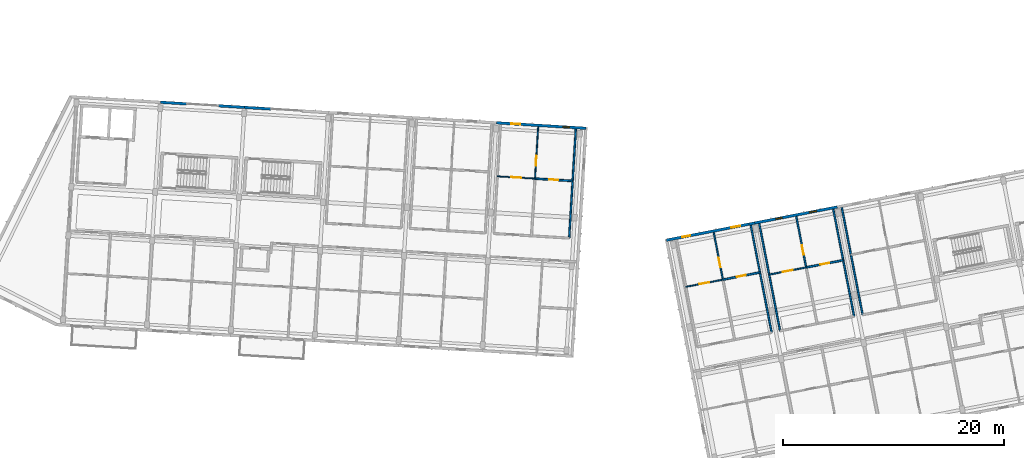
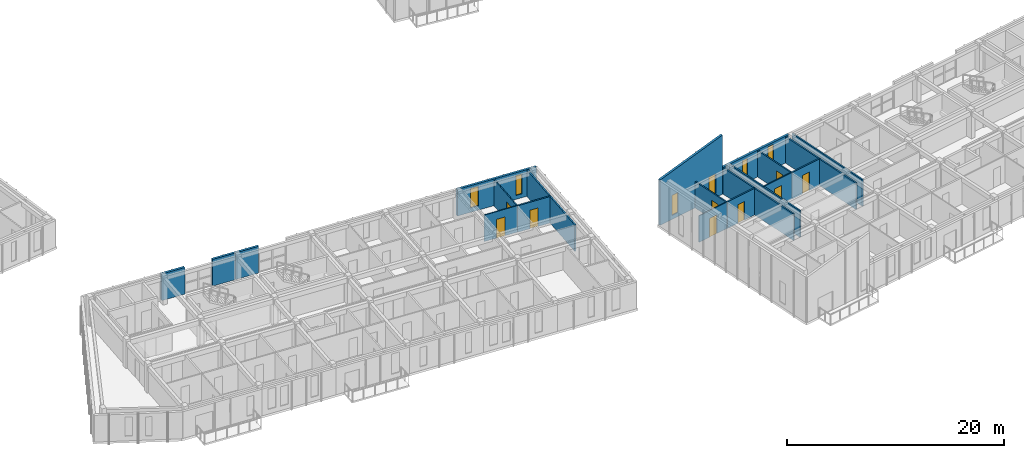
# One storey, part 28 of 65: 21 walls, 9 doors, 6 windows, 15 openings.
"""IFC4 building model written with IfcOpenShell, lengths in metres."""

from ifc_helpers import new_model, si_unit, direction, frame, frame_2d, origin, place, context, subcontext, project, spatial, polyline, rectangle, outline, extrude, material, layer, layer_set, type_object, element, fill, save


model = new_model("IFC4")

# Units and contexts
model_context = context("Model", 3, precision=1e-05, world=origin(), true_north=direction((0.0, 1.0)))
body_context = subcontext(model_context, "Body", "Model", "MODEL_VIEW")
ifc_project = project(units=[si_unit("LENGTHUNIT", "METRE"), si_unit("AREAUNIT", "SQUARE_METRE"), si_unit("VOLUMEUNIT", "CUBIC_METRE"), si_unit("PLANEANGLEUNIT", "RADIAN"), si_unit("MASSUNIT", "GRAM", prefix="KILO")], contexts=[model_context])

# Site, building, storey
site_placement = place(None, origin())
site = spatial("IfcSite", under=ifc_project, at=site_placement, CompositionType="ELEMENT")
building_placement = place(site_placement, origin())
building = spatial("IfcBuilding", under=site, at=building_placement, Name="Kestramere Prow Commons", CompositionType="ELEMENT")
storey_placement = place(building_placement, frame((0.0, 0.0, 21.39990234375)))
storey = spatial("IfcBuildingStorey", under=building, at=storey_placement, Name="L06", CompositionType="ELEMENT", Elevation=21.39990234375)

# Walls
ifc_material_1 = material(Name="Fluoropolymer Standing-Seam Zinc-Aluminium Cladding", Category="aluminium")
ifc_layer_1 = layer(ifc_material_1, 0.239990234375)
ifc_layer_set_1 = layer_set([ifc_layer_1], Name="Fluoropolymer Standing-Seam Zinc-Aluminium Cladding")
wall_type_1 = type_object("IfcWallType", Name="EW-SEAM-240", PredefinedType="SOLIDWALL", material=ifc_layer_set_1)
wall_1_placement = place(storey_placement, frame((68.314453125, 66.12353515625, 0.0), z_axis=(0.0, 0.0, 1.0), x_axis=(0.998134103342, -0.061059902923, 0.0)))
element("IfcWall", 1, at=wall_1_placement, inside=storey, type_object=wall_type_1, Name="Block C L06 North Standing-Seam Pier 2L", PredefinedType="SOLIDWALL", context=body_context, shape_type="SweptSolid", body=[
    extrude(rectangle(XDim=2.375, YDim=0.239990234375, at=frame_2d((1.1875, 0.0))), origin(), (0.0, 0.0, 1.0), 3.0),
])
wall_2_placement = place(storey_placement, frame((73.52978515625, 65.804443359375, 0.0), z_axis=(0.0, 0.0, 1.0), x_axis=(0.998133720034, -0.061066168473, 0.0)))
element("IfcWall", 2, at=wall_2_placement, inside=storey, type_object=wall_type_1, Name="Block C L06 North Standing-Seam Pier 2R", PredefinedType="SOLIDWALL", context=body_context, shape_type="SweptSolid", body=[
    extrude(rectangle(XDim=2.374755859375, YDim=0.239990234375, at=frame_2d((1.1875, 0.0))), origin(), (0.0, 0.0, 1.0), 3.0),
])
wall_3_placement = place(storey_placement, frame((75.900146484375, 65.659423828125, 0.0), z_axis=(0.0, 0.0, 1.0), x_axis=(0.998140363035, -0.06095749076, 0.0)))
element("IfcWall", 3, at=wall_3_placement, inside=storey, type_object=wall_type_1, Name="Block C L06 North Standing-Seam Pier 3L", PredefinedType="SOLIDWALL", context=body_context, shape_type="SweptSolid", body=[
    extrude(rectangle(XDim=2.375, YDim=0.239990234375, at=frame_2d((1.1875, 0.0))), origin(), (0.0, 0.0, 1.0), 3.0),
])

# Wall, openings, windows
wall_4_placement = place(storey_placement, frame((98.65771484375, 64.267578125, 0.0), z_axis=(0.0, 0.0, 1.0), x_axis=(0.998134248939, -0.061057522844, 0.0)))
wall_4 = element("IfcWall", 4, at=wall_4_placement, inside=storey, type_object=wall_type_1, Name="Block C L06 North Standing-Seam Wall 6", PredefinedType="SOLIDWALL", context=body_context, shape_type="SweptSolid", body=[
    extrude(rectangle(XDim=8.125, YDim=0.239990234375, at=frame_2d((4.0625, 0.0))), origin(), (0.0, 0.0, 1.0), 3.0),
])
opening_1_placement = place(wall_4_placement, frame((1.333984375, 0.0, 0.5)))
opening_1 = element("IfcOpeningElement", 5, at=opening_1_placement, cuts=wall_4, Name="Opening WN-13", PredefinedType="OPENING", context=body_context, shape_type="SweptSolid", body=[
    extrude(rectangle(XDim=0.820068359375, YDim=2.179931640625, at=frame_2d((0.41015625, 1.08984375))), frame((0.0, 0.135009765625, 0.0), z_axis=(0.0, -1.0, 0.0), x_axis=(1.0, 0.0, 0.0)), (0.0, 0.0, 1.0), 0.27001953125),
])
opening_2_placement = place(wall_4_placement, frame((6.028564453125, 0.0, 0.43994140625)))
opening_2 = element("IfcOpeningElement", 6, at=opening_2_placement, cuts=wall_4, Name="Opening WN-02", PredefinedType="OPENING", context=body_context, shape_type="SweptSolid", body=[
    extrude(rectangle(XDim=0.60009765625, YDim=2.219970703125, at=frame_2d((0.300048828125, 1.10986328125))), frame((0.0, 0.135009765625, 0.0), z_axis=(0.0, -1.0, 0.0), x_axis=(1.0, 0.0, 0.0)), (0.0, 0.0, 1.0), 0.27001953125),
])
ifc_material_2 = material(Name="Low-E Laminated Double Glazing", Category="glass")
window_type_1 = type_object("IfcWindowType", Name="WN-NAR-600A", PartitioningType="SINGLE_PANEL", PredefinedType="WINDOW", material=ifc_material_2)
window_1_placement = place(opening_2_placement, origin())
window_1 = element("IfcWindow", 7, at=window_1_placement, inside=storey, type_object=window_type_1, Name="WN-C-L06-N-5-1", OverallHeight=2.219970703125, OverallWidth=0.60009765625, PartitioningType="SINGLE_PANEL", PredefinedType="WINDOW", context=body_context, shape_type="SweptSolid", body=[
    extrude(rectangle(XDim=0.60009765625, YDim=2.219970703125, at=frame_2d((0.300048828125, 1.10986328125))), frame((0.0, 0.030029296875, 0.0), z_axis=(0.0, -1.0, 0.0), x_axis=(1.0, 0.0, 0.0)), (0.0, 0.0, 1.0), 0.06005859375),
])
fill(opening_2, window_1)
window_type_2 = type_object("IfcWindowType", Name="WN-NAR-820A", PartitioningType="DOUBLE_PANEL_VERTICAL", PredefinedType="WINDOW", material=ifc_material_2)
window_2_placement = place(opening_1_placement, origin())
window_2 = element("IfcWindow", 8, at=window_2_placement, inside=storey, type_object=window_type_2, Name="WN-C-L06-N-5-0", OverallHeight=2.179931640625, OverallWidth=0.820068359375, PartitioningType="SINGLE_PANEL", PredefinedType="WINDOW", context=body_context, shape_type="SweptSolid", body=[
    extrude(rectangle(XDim=0.820068359375, YDim=2.179931640625, at=frame_2d((0.41015625, 1.08984375))), frame((0.0, 0.030029296875, 0.0), z_axis=(0.0, -1.0, 0.0), x_axis=(1.0, 0.0, 0.0)), (0.0, 0.0, 1.0), 0.06005859375),
])
fill(opening_1, window_2)

# Wall
wall_5_placement = place(storey_placement, frame((121.5048828125, 55.105224609375, 0.0), z_axis=(0.0, 0.0, 1.0), x_axis=(0.981656509867, 0.190658062077, 0.0)))
element("IfcWall", 9, at=wall_5_placement, inside=storey, type_object=wall_type_1, Name="Block D L06 North Step-Back Spandrel Wall 1", PredefinedType="SOLIDWALL", context=body_context, shape_type="SweptSolid", body=[
    extrude(rectangle(XDim=0.52490234375, YDim=0.239990234375, at=frame_2d((0.262451171875, 0.0))), origin(), (0.0, 0.0, 1.0), 3.0),
])

# Wall, openings, windows
wall_6_placement = place(storey_placement, frame((114.044677734375, 53.655029296875, 0.0), z_axis=(0.0, 0.0, 1.0), x_axis=(0.981625252578, 0.19081892857, 0.0)))
wall_6 = element("IfcWall", 10, at=wall_6_placement, inside=storey, type_object=wall_type_1, Name="Block D L06 North Standing-Seam Wall 1", PredefinedType="SOLIDWALL", context=body_context, shape_type="SweptSolid", body=[
    extrude(outline(polyline([(0.0, 0.0), (7.599853515625, 0.0), (7.60009765625, 6.6591796875), (0.0, 5.086181640625), (0.0, 0.0)])), frame((0.0, 0.1201171875, 0.0), z_axis=(0.0, -1.0, 0.0), x_axis=(1.0, 0.0, 0.0)), (0.0, 0.0, 1.0), 0.239990234375),
])
opening_3_placement = place(wall_6_placement, frame((1.4345703125, 0.0, 0.43994140625)))
opening_3 = element("IfcOpeningElement", 11, at=opening_3_placement, cuts=wall_6, Name="Opening WN-09", PredefinedType="OPENING", context=body_context, shape_type="SweptSolid", body=[
    extrude(rectangle(XDim=0.739990234375, YDim=2.260009765625, at=frame_2d((0.3701171875, 1.1298828125))), frame((0.0, 0.135009765625, 0.0), z_axis=(0.0, -1.0, 0.0), x_axis=(1.0, 0.0, 0.0)), (0.0, 0.0, 1.0), 0.27001953125),
])
opening_4_placement = place(wall_6_placement, frame((5.970947265625, 0.0, 0.5)))
opening_4 = element("IfcOpeningElement", 12, at=opening_4_placement, cuts=wall_6, Name="Opening WN-13", PredefinedType="OPENING", context=body_context, shape_type="SweptSolid", body=[
    extrude(rectangle(XDim=0.820068359375, YDim=2.179931640625, at=frame_2d((0.41015625, 1.08984375))), frame((0.0, 0.135009765625, 0.0), z_axis=(0.0, -1.0, 0.0), x_axis=(1.0, 0.0, 0.0)), (0.0, 0.0, 1.0), 0.27001953125),
])
window_type_3 = type_object("IfcWindowType", Name="WN-NAR-740A", PartitioningType="SINGLE_PANEL", PredefinedType="WINDOW", material=ifc_material_2)
window_3_placement = place(opening_3_placement, origin())
window_3 = element("IfcWindow", 13, at=window_3_placement, inside=storey, type_object=window_type_3, Name="WN-D-L06-N-0-0", OverallHeight=2.260009765625, OverallWidth=0.739990234375, PartitioningType="SINGLE_PANEL", PredefinedType="WINDOW", context=body_context, shape_type="SweptSolid", body=[
    extrude(rectangle(XDim=0.739990234375, YDim=2.260009765625, at=frame_2d((0.3701171875, 1.1298828125))), frame((0.0, 0.030029296875, 0.0), z_axis=(0.0, -1.0, 0.0), x_axis=(1.0, 0.0, 0.0)), (0.0, 0.0, 1.0), 0.06005859375),
])
fill(opening_3, window_3)
window_4_placement = place(opening_4_placement, origin())
window_4 = element("IfcWindow", 14, at=window_4_placement, inside=storey, type_object=window_type_2, Name="WN-D-L06-N-0-1", OverallHeight=2.179931640625, OverallWidth=0.820068359375, PartitioningType="SINGLE_PANEL", PredefinedType="WINDOW", context=body_context, shape_type="SweptSolid", body=[
    extrude(rectangle(XDim=0.820068359375, YDim=2.179931640625, at=frame_2d((0.41015625, 1.08984375))), frame((0.0, 0.030029296875, 0.0), z_axis=(0.0, -1.0, 0.0), x_axis=(1.0, 0.0, 0.0)), (0.0, 0.0, 1.0), 0.06005859375),
])
fill(opening_4, window_4)

wall_7_placement = place(storey_placement, frame((122.020263671875, 55.205322265625, 0.0), z_axis=(0.0, 0.0, 1.0), x_axis=(0.981626422232, 0.190812911449, 0.0)))
wall_7 = element("IfcWall", 15, at=wall_7_placement, inside=storey, type_object=wall_type_1, Name="Block D L06 North Standing-Seam Wall 2", PredefinedType="SOLIDWALL", context=body_context, shape_type="SweptSolid", body=[
    extrude(rectangle(XDim=7.60009765625, YDim=0.239990234375, at=frame_2d((3.800048828125, 0.0))), origin(), (0.0, 0.0, 1.0), 3.0),
])
opening_5_placement = place(wall_7_placement, frame((1.93212890625, 0.0, 0.5)))
opening_5 = element("IfcOpeningElement", 16, at=opening_5_placement, cuts=wall_7, Name="Opening WN-01", PredefinedType="OPENING", context=body_context, shape_type="SweptSolid", body=[
    extrude(rectangle(XDim=0.580078125, YDim=2.159912109375, at=frame_2d((0.2900390625, 1.080078125))), frame((0.0, 0.135009765625, 0.0), z_axis=(0.0, -1.0, 0.0), x_axis=(1.0, 0.0, 0.0)), (0.0, 0.0, 1.0), 0.27001953125),
])
opening_6_placement = place(wall_7_placement, frame((5.03759765625, 0.0, 0.43994140625)))
opening_6 = element("IfcOpeningElement", 17, at=opening_6_placement, cuts=wall_7, Name="Opening WN-05", PredefinedType="OPENING", context=body_context, shape_type="SweptSolid", body=[
    extrude(rectangle(XDim=0.659912109375, YDim=2.320068359375, at=frame_2d((0.330078125, 1.16015625))), frame((0.0, 0.135009765625, 0.0), z_axis=(0.0, -1.0, 0.0), x_axis=(1.0, 0.0, 0.0)), (0.0, 0.0, 1.0), 0.27001953125),
])
window_type_4 = type_object("IfcWindowType", Name="WN-NAR-580A", PartitioningType="SINGLE_PANEL", PredefinedType="WINDOW", material=ifc_material_2)
window_5_placement = place(opening_5_placement, origin())
window_5 = element("IfcWindow", 18, at=window_5_placement, inside=storey, type_object=window_type_4, Name="WN-D-L06-N-1-0", OverallHeight=2.159912109375, OverallWidth=0.580078125, PartitioningType="SINGLE_PANEL", PredefinedType="WINDOW", context=body_context, shape_type="SweptSolid", body=[
    extrude(rectangle(XDim=0.580078125, YDim=2.159912109375, at=frame_2d((0.2900390625, 1.080078125))), frame((0.0, 0.030029296875, 0.0), z_axis=(0.0, -1.0, 0.0), x_axis=(1.0, 0.0, 0.0)), (0.0, 0.0, 1.0), 0.06005859375),
])
fill(opening_5, window_5)
window_type_5 = type_object("IfcWindowType", Name="WN-NAR-660A", PartitioningType="SINGLE_PANEL", PredefinedType="WINDOW", material=ifc_material_2)
window_6_placement = place(opening_6_placement, origin())
window_6 = element("IfcWindow", 19, at=window_6_placement, inside=storey, type_object=window_type_5, Name="WN-D-L06-N-1-1", OverallHeight=2.320068359375, OverallWidth=0.659912109375, PartitioningType="SINGLE_PANEL", PredefinedType="WINDOW", context=body_context, shape_type="SweptSolid", body=[
    extrude(rectangle(XDim=0.659912109375, YDim=2.320068359375, at=frame_2d((0.330078125, 1.16015625))), frame((0.0, 0.030029296875, 0.0), z_axis=(0.0, -1.0, 0.0), x_axis=(1.0, 0.0, 0.0)), (0.0, 0.0, 1.0), 0.06005859375),
])
fill(opening_6, window_6)

# Wall, opening, door
ifc_material_3 = material(Name="Gypsum Acoustic Drywall")
ifc_layer_2 = layer(ifc_material_3, 0.110107421875)
ifc_layer_set_2 = layer_set([ifc_layer_2], Name="Gypsum Acoustic Drywall")
wall_type_2 = type_object("IfcWallType", Name="W-PART-110", PredefinedType="PARTITIONING", material=ifc_layer_set_2)
wall_8_placement = place(storey_placement, frame((102.156005859375, 59.2197265625, 0.0), z_axis=(0.0, 0.0, 1.0), x_axis=(0.061062434628, 0.998133948465, 0.0)))
wall_8 = element("IfcWall", 20, at=wall_8_placement, inside=storey, type_object=wall_type_2, Name="Interior Partition PW-C-L06-LB-N5", PredefinedType="PARTITIONING", context=body_context, shape_type="SweptSolid", body=[
    extrude(rectangle(XDim=4.68994140625, YDim=0.110107421875, at=frame_2d((2.344970703125, 0.0))), origin(), (0.0, 0.0, 1.0), 2.97021484375),
])
opening_7_placement = place(wall_8_placement, frame((1.14990234375, 0.0, 0.0)))
opening_7 = element("IfcOpeningElement", 21, at=opening_7_placement, cuts=wall_8, Name="Opening ID-08", PredefinedType="OPENING", context=body_context, shape_type="SweptSolid", body=[
    extrude(rectangle(XDim=0.89990234375, YDim=2.10009765625, at=frame_2d((0.449951171875, 1.050048828125))), frame((0.0, 0.070068359375, 0.0), z_axis=(0.0, -1.0, 0.0), x_axis=(1.0, 0.0, 0.0)), (0.0, 0.0, 1.0), 0.14013671875),
])
ifc_material_4 = material(Name="Engineered Timber Flush Door", Category="wood")
door_type_1 = type_object("IfcDoorType", Name="D-RM-01", OperationType="NOTDEFINED", PredefinedType="DOOR", material=ifc_material_4)
door_1_placement = place(opening_7_placement, origin())
door_1 = element("IfcDoor", 22, at=door_1_placement, inside=storey, type_object=door_type_1, Name="Interior Door DR-C-L06-BED-N5", OperationType="SINGLE_SWING_LEFT", OverallHeight=2.10009765625, OverallWidth=0.89990234375, PredefinedType="DOOR", context=body_context, shape_type="SweptSolid", body=[
    extrude(rectangle(XDim=0.89990234375, YDim=2.10009765625, at=frame_2d((0.449951171875, 1.050048828125))), frame((0.0, 0.02490234375, 0.0), z_axis=(0.0, -1.0, 0.0), x_axis=(1.0, 0.0, 0.0)), (0.0, 0.0, 1.0), 0.050048828125),
])
fill(opening_7, door_1)

wall_9_placement = place(storey_placement, frame((115.796630859375, 49.436767578125, 0.0), z_axis=(0.0, 0.0, 1.0), x_axis=(0.981615762271, 0.19086774285, 0.0)))
wall_9 = element("IfcWall", 23, at=wall_9_placement, inside=storey, type_object=wall_type_2, Name="Interior Partition PW-D-L06-MIDN1-0", PredefinedType="PARTITIONING", context=body_context, shape_type="SweptSolid", body=[
    extrude(rectangle(XDim=3.41015625, YDim=0.110107421875, at=frame_2d((1.705078125, 0.0))), origin(), (0.0, 0.0, 1.0), 2.97021484375),
])
opening_8_placement = place(wall_9_placement, frame((1.2548828125, 0.0, 0.0)))
opening_8 = element("IfcOpeningElement", 24, at=opening_8_placement, cuts=wall_9, Name="Opening ID-08", PredefinedType="OPENING", context=body_context, shape_type="SweptSolid", body=[
    extrude(rectangle(XDim=0.89990234375, YDim=2.10009765625, at=frame_2d((0.449951171875, 1.050048828125))), frame((0.0, 0.070068359375, 0.0), z_axis=(0.0, -1.0, 0.0), x_axis=(1.0, 0.0, 0.0)), (0.0, 0.0, 1.0), 0.14013671875),
])
door_2_placement = place(opening_8_placement, origin())
door_2 = element("IfcDoor", 25, at=door_2_placement, inside=storey, type_object=door_type_1, Name="Interior Door DR-D-L06-KL-N0", OperationType="SINGLE_SWING_LEFT", OverallHeight=2.10009765625, OverallWidth=0.89990234375, PredefinedType="DOOR", context=body_context, shape_type="SweptSolid", body=[
    extrude(rectangle(XDim=0.89990234375, YDim=2.10009765625, at=frame_2d((0.449951171875, 1.050048828125))), frame((0.0, 0.02490234375, 0.0), z_axis=(0.0, -1.0, 0.0), x_axis=(1.0, 0.0, 0.0)), (0.0, 0.0, 1.0), 0.050048828125),
])
fill(opening_8, door_2)

ifc_material_5 = material(Name="Lightweight Blockwork and Plaster", Category="masonry")
ifc_layer_3 = layer(ifc_material_5, 0.1201171875)
ifc_layer_set_3 = layer_set([ifc_layer_3], Name="Lightweight Blockwork and Plaster")
wall_type_3 = type_object("IfcWallType", Name="W-PART-120", PredefinedType="PARTITIONING", material=ifc_layer_set_3)
wall_10_placement = place(storey_placement, frame((123.32373046875, 50.54345703125, 0.0), z_axis=(0.0, 0.0, 1.0), x_axis=(0.981629173664, 0.190798756314, 0.0)))
wall_10 = element("IfcWall", 26, at=wall_10_placement, inside=storey, type_object=wall_type_3, Name="Interior Partition PW-D-L06-MIDN1-1", PredefinedType="PARTITIONING", context=body_context, shape_type="SweptSolid", body=[
    extrude(rectangle(XDim=3.41015625, YDim=0.1201171875, at=frame_2d((1.705078125, 0.0))), origin(), (0.0, 0.0, 1.0), 2.97021484375),
])
opening_9_placement = place(wall_10_placement, frame((1.2548828125, 0.0, 0.0)))
opening_9 = element("IfcOpeningElement", 27, at=opening_9_placement, cuts=wall_10, Name="Opening ID-08", PredefinedType="OPENING", context=body_context, shape_type="SweptSolid", body=[
    extrude(rectangle(XDim=0.89990234375, YDim=2.10009765625, at=frame_2d((0.449951171875, 1.050048828125))), frame((0.0, 0.074951171875, 0.0), z_axis=(0.0, -1.0, 0.0), x_axis=(1.0, 0.0, 0.0)), (0.0, 0.0, 1.0), 0.150146484375),
])
door_3_placement = place(opening_9_placement, origin())
door_3 = element("IfcDoor", 28, at=door_3_placement, inside=storey, type_object=door_type_1, Name="Interior Door DR-D-L06-KL-N1", OperationType="SINGLE_SWING_LEFT", OverallHeight=2.10009765625, OverallWidth=0.89990234375, PredefinedType="DOOR", context=body_context, shape_type="SweptSolid", body=[
    extrude(rectangle(XDim=0.89990234375, YDim=2.10009765625, at=frame_2d((0.449951171875, 1.050048828125))), frame((0.0, 0.02490234375, 0.0), z_axis=(0.0, -1.0, 0.0), x_axis=(1.0, 0.0, 0.0)), (0.0, 0.0, 1.0), 0.050048828125),
])
fill(opening_9, door_3)

ifc_layer_4 = layer(ifc_material_5, 0.1298828125)
ifc_layer_set_4 = layer_set([ifc_layer_4], Name="Lightweight Blockwork and Plaster")
wall_type_4 = type_object("IfcWallType", Name="W-PART-130", PredefinedType="PARTITIONING", material=ifc_layer_set_4)
wall_11_placement = place(storey_placement, frame((119.14404296875, 50.087646484375, 0.0), z_axis=(0.0, 0.0, 1.0), x_axis=(-0.190812443151, 0.981626513262, 0.0)))
wall_11 = element("IfcWall", 29, at=wall_11_placement, inside=storey, type_object=wall_type_4, Name="Interior Partition PW-D-L06-LB-N0", PredefinedType="PARTITIONING", context=body_context, shape_type="SweptSolid", body=[
    extrude(rectangle(XDim=4.340087890625, YDim=0.1298828125, at=frame_2d((2.169921875, 0.0))), origin(), (0.0, 0.0, 1.0), 2.97021484375),
])
opening_10_placement = place(wall_11_placement, frame((1.14990234375, 0.0, 0.0)))
opening_10 = element("IfcOpeningElement", 30, at=opening_10_placement, cuts=wall_11, Name="Opening ID-10", PredefinedType="OPENING", context=body_context, shape_type="SweptSolid", body=[
    extrude(rectangle(XDim=0.8798828125, YDim=2.10009765625, at=frame_2d((0.43994140625, 1.050048828125))), frame((0.0, 0.079833984375, 0.0), z_axis=(0.0, -1.0, 0.0), x_axis=(1.0, 0.0, 0.0)), (0.0, 0.0, 1.0), 0.159912109375),
])
ifc_material_6 = material(Name="Engineered Timber Bedroom Door", Category="wood")
door_type_2 = type_object("IfcDoorType", Name="D-RM-03", OperationType="NOTDEFINED", PredefinedType="DOOR", material=ifc_material_6)
door_4_placement = place(opening_10_placement, origin())
door_4 = element("IfcDoor", 31, at=door_4_placement, inside=storey, type_object=door_type_2, Name="Interior Door DR-D-L06-BED-N0", OperationType="SINGLE_SWING_LEFT", OverallHeight=2.10009765625, OverallWidth=0.8798828125, PredefinedType="DOOR", context=body_context, shape_type="SweptSolid", body=[
    extrude(rectangle(XDim=0.8798828125, YDim=2.10009765625, at=frame_2d((0.43994140625, 1.050048828125))), frame((0.0, 0.02490234375, 0.0), z_axis=(0.0, -1.0, 0.0), x_axis=(1.0, 0.0, 0.0)), (0.0, 0.0, 1.0), 0.050048828125),
])
fill(opening_10, door_4)

ifc_material_7 = material(Name="Masonry Compartment Wall", Category="masonry")
ifc_layer_5 = layer(ifc_material_7, 0.139892578125)
ifc_layer_set_5 = layer_set([ifc_layer_5], Name="Masonry Compartment Wall")
wall_type_5 = type_object("IfcWallType", Name="W-PART-140", PredefinedType="PARTITIONING", material=ifc_layer_set_5)
wall_12_placement = place(storey_placement, frame((126.671142578125, 51.194091796875, 0.0), z_axis=(0.0, 0.0, 1.0), x_axis=(-0.190787451574, 0.981631370893, 0.0)))
wall_12 = element("IfcWall", 32, at=wall_12_placement, inside=storey, type_object=wall_type_5, Name="Interior Partition PW-D-L06-LB-N1", PredefinedType="PARTITIONING", context=body_context, shape_type="SweptSolid", body=[
    extrude(rectangle(XDim=4.68994140625, YDim=0.139892578125, at=frame_2d((2.344970703125, 0.0))), origin(), (0.0, 0.0, 1.0), 2.97021484375),
])
opening_11_placement = place(wall_12_placement, frame((1.14990234375, 0.0, 0.0)))
opening_11 = element("IfcOpeningElement", 33, at=opening_11_placement, cuts=wall_12, Name="Opening ID-08", PredefinedType="OPENING", context=body_context, shape_type="SweptSolid", body=[
    extrude(rectangle(XDim=0.89990234375, YDim=2.10009765625, at=frame_2d((0.449951171875, 1.050048828125))), frame((0.0, 0.0849609375, 0.0), z_axis=(0.0, -1.0, 0.0), x_axis=(1.0, 0.0, 0.0)), (0.0, 0.0, 1.0), 0.169921875),
])
door_5_placement = place(opening_11_placement, origin())
door_5 = element("IfcDoor", 34, at=door_5_placement, inside=storey, type_object=door_type_1, Name="Interior Door DR-D-L06-BED-N1", OperationType="SINGLE_SWING_LEFT", OverallHeight=2.10009765625, OverallWidth=0.89990234375, PredefinedType="DOOR", context=body_context, shape_type="SweptSolid", body=[
    extrude(rectangle(XDim=0.89990234375, YDim=2.10009765625, at=frame_2d((0.449951171875, 1.050048828125))), frame((0.0, 0.02490234375, 0.0), z_axis=(0.0, -1.0, 0.0), x_axis=(1.0, 0.0, 0.0)), (0.0, 0.0, 1.0), 0.050048828125),
])
fill(opening_11, door_5)

# Walls
ifc_layer_6 = layer(ifc_material_7, 0.14990234375)
ifc_layer_set_6 = layer_set([ifc_layer_6], Name="Masonry Compartment Wall")
wall_type_6 = type_object("IfcWallType", Name="W-PART-150", PredefinedType="PARTITIONING", material=ifc_layer_set_6)
wall_13_placement = place(storey_placement, frame((105.243408203125, 53.841064453125, 0.0), z_axis=(0.0, 0.0, 1.0), x_axis=(0.061047700465, 0.998134849741, 0.0)))
element("IfcWall", 35, at=wall_13_placement, inside=storey, type_object=wall_type_6, Name="Interior Partition PW-C-L06-NWR-5", PredefinedType="PARTITIONING", context=body_context, shape_type="SweptSolid", body=[
    extrude(rectangle(XDim=9.869873046875, YDim=0.14990234375, at=frame_2d((4.93505859375, 0.0))), origin(), (0.0, 0.0, 1.0), 2.97021484375),
])
wall_14_placement = place(storey_placement, frame((123.546630859375, 45.309814453125, 0.0), z_axis=(0.0, 0.0, 1.0), x_axis=(-0.190809410863, 0.981627102685, 0.0)))
element("IfcWall", 36, at=wall_14_placement, inside=storey, type_object=wall_type_6, Name="Interior Partition PW-D-L06-NWR-0", PredefinedType="PARTITIONING", context=body_context, shape_type="SweptSolid", body=[
    extrude(rectangle(XDim=9.8701171875, YDim=0.14990234375, at=frame_2d((4.93505859375, 0.0))), origin(), (0.0, 0.0, 1.0), 2.97021484375),
])
wall_15_placement = place(storey_placement, frame((124.312255859375, 45.458740234375, 0.0), z_axis=(0.0, 0.0, 1.0), x_axis=(-0.190814044018, 0.981626202078, 0.0)))
element("IfcWall", 37, at=wall_15_placement, inside=storey, type_object=wall_type_6, Name="Interior Partition PW-D-L06-NWL-1", PredefinedType="PARTITIONING", context=body_context, shape_type="SweptSolid", body=[
    extrude(rectangle(XDim=9.869873046875, YDim=0.14990234375, at=frame_2d((4.93505859375, 0.0))), origin(), (0.0, 0.0, 1.0), 2.97021484375),
])
for number, where, z_axis, x_axis, name in (
    (38, (131.0068359375, 46.760009765625, 0.0), (0.0, 0.0, 1.0), (-0.190809410863, 0.981627102685, 0.0), "Interior Partition PW-D-L06-NWR-1"),
    (39, (131.7724609375, 46.90869140625, 0.0), (0.0, 0.0, 1.0), (-0.1907855758, 0.981631735462, 0.0), "Interior Partition PW-D-L06-NWL-2"),
):
    element("IfcWall", number, at=place(storey_placement, frame(where, z_axis=z_axis, x_axis=x_axis)), inside=storey, type_object=wall_type_6, Name=name, PredefinedType="PARTITIONING", context=body_context, shape_type="SweptSolid", body=[
        extrude(rectangle(XDim=9.8701171875, YDim=0.14990234375, at=frame_2d((4.93505859375, 0.0))), origin(), (0.0, 0.0, 1.0), 2.97021484375),
    ])

# Wall, opening, door
ifc_layer_7 = layer(ifc_material_3, 0.094970703125)
ifc_layer_set_7 = layer_set([ifc_layer_7], Name="Gypsum Acoustic Drywall")
wall_type_7 = type_object("IfcWallType", Name="W-PART-95", PredefinedType="PARTITIONING", material=ifc_layer_set_7)
wall_16_placement = place(storey_placement, frame((98.75244140625, 59.427734375, 0.0), z_axis=(0.0, 0.0, 1.0), x_axis=(0.998137711988, -0.061000884486, 0.0)))
wall_16 = element("IfcWall", 40, at=wall_16_placement, inside=storey, type_object=wall_type_7, Name="Interior Partition PW-C-L06-MIDN1-5", PredefinedType="PARTITIONING", context=body_context, shape_type="SweptSolid", body=[
    extrude(rectangle(XDim=3.409912109375, YDim=0.094970703125, at=frame_2d((1.705078125, 0.0))), origin(), (0.0, 0.0, 1.0), 2.97021484375),
])
opening_12_placement = place(wall_16_placement, frame((1.2548828125, 0.0, 0.0)))
opening_12 = element("IfcOpeningElement", 41, at=opening_12_placement, cuts=wall_16, Name="Opening ID-08", PredefinedType="OPENING", context=body_context, shape_type="SweptSolid", body=[
    extrude(rectangle(XDim=0.89990234375, YDim=2.10009765625, at=frame_2d((0.449951171875, 1.050048828125))), frame((0.0, 0.0625, 0.0), z_axis=(0.0, -1.0, 0.0), x_axis=(1.0, 0.0, 0.0)), (0.0, 0.0, 1.0), 0.125),
])
door_6_placement = place(opening_12_placement, origin())
door_6 = element("IfcDoor", 42, at=door_6_placement, inside=storey, type_object=door_type_1, Name="Interior Door DR-C-L06-KL-N5", OperationType="SINGLE_SWING_LEFT", OverallHeight=2.10009765625, OverallWidth=0.89990234375, PredefinedType="DOOR", context=body_context, shape_type="SweptSolid", body=[
    extrude(rectangle(XDim=0.89990234375, YDim=2.10009765625, at=frame_2d((0.449951171875, 1.050048828125))), frame((0.0, 0.02490234375, 0.0), z_axis=(0.0, -1.0, 0.0), x_axis=(1.0, 0.0, 0.0)), (0.0, 0.0, 1.0), 0.050048828125),
])
fill(opening_12, door_6)

ifc_material_8 = material(Name="Waterproof Sanitary Masonry Wall", Category="masonry")
ifc_layer_8 = layer(ifc_material_8, 0.1650390625)
ifc_layer_set_8 = layer_set([ifc_layer_8], Name="Waterproof Sanitary Masonry Wall")
wall_type_8 = type_object("IfcWallType", Name="W-PLUMB-150", PredefinedType="PLUMBINGWALL", material=ifc_layer_set_8)
wall_17_placement = place(storey_placement, frame((102.156005859375, 59.2197265625, 0.0), z_axis=(0.0, 0.0, 1.0), x_axis=(0.998133617109, -0.061067850767, 0.0)))
wall_17 = element("IfcWall", 43, at=wall_17_placement, inside=storey, type_object=wall_type_8, Name="Interior Partition PW-C-L06-MIDN2-5", PredefinedType="PLUMBINGWALL", context=body_context, shape_type="SweptSolid", body=[
    extrude(rectangle(XDim=3.41015625, YDim=0.1650390625, at=frame_2d((1.705078125, 0.0))), origin(), (0.0, 0.0, 1.0), 2.97021484375),
])
opening_13_placement = place(wall_17_placement, frame((1.294921875, 0.0, 0.0)))
opening_13 = element("IfcOpeningElement", 44, at=opening_13_placement, cuts=wall_17, Name="Opening ID-11", PredefinedType="OPENING", context=body_context, shape_type="SweptSolid", body=[
    extrude(rectangle(XDim=0.820068359375, YDim=2.080078125, at=frame_2d((0.41015625, 1.0400390625))), frame((0.0, 0.097412109375, 0.0), z_axis=(0.0, -1.0, 0.0), x_axis=(1.0, 0.0, 0.0)), (0.0, 0.0, 1.0), 0.195068359375),
])
ifc_material_9 = material(Name="Moisture-Resistant Timber Bathroom Door", Category="wood")
door_type_3 = type_object("IfcDoorType", Name="D-BT-01", OperationType="NOTDEFINED", PredefinedType="DOOR", material=ifc_material_9)
door_7_placement = place(opening_13_placement, origin())
door_7 = element("IfcDoor", 45, at=door_7_placement, inside=storey, type_object=door_type_3, Name="Interior Door DR-C-L06-BTH-N5", OperationType="SINGLE_SWING_RIGHT", OverallHeight=2.080078125, OverallWidth=0.820068359375, PredefinedType="DOOR", context=body_context, shape_type="SweptSolid", body=[
    extrude(rectangle(XDim=0.820068359375, YDim=2.080078125, at=frame_2d((0.41015625, 1.0400390625))), frame((0.0, 0.02490234375, 0.0), z_axis=(0.0, -1.0, 0.0), x_axis=(1.0, 0.0, 0.0)), (0.0, 0.0, 1.0), 0.050048828125),
])
fill(opening_13, door_7)

wall_18_placement = place(storey_placement, frame((119.14404296875, 50.087646484375, 0.0), z_axis=(0.0, 0.0, 1.0), x_axis=(0.981629173664, 0.190798756314, 0.0)))
wall_18 = element("IfcWall", 46, at=wall_18_placement, inside=storey, type_object=wall_type_8, Name="Interior Partition PW-D-L06-MIDN2-0", PredefinedType="PLUMBINGWALL", context=body_context, shape_type="SweptSolid", body=[
    extrude(rectangle(XDim=3.41015625, YDim=0.1650390625, at=frame_2d((1.705078125, 0.0))), origin(), (0.0, 0.0, 1.0), 2.97021484375),
])
opening_14_placement = place(wall_18_placement, frame((1.294921875, 0.0, 0.0)))
opening_14 = element("IfcOpeningElement", 47, at=opening_14_placement, cuts=wall_18, Name="Opening ID-11", PredefinedType="OPENING", context=body_context, shape_type="SweptSolid", body=[
    extrude(rectangle(XDim=0.820068359375, YDim=2.080078125, at=frame_2d((0.41015625, 1.0400390625))), frame((0.0, 0.097412109375, 0.0), z_axis=(0.0, -1.0, 0.0), x_axis=(1.0, 0.0, 0.0)), (0.0, 0.0, 1.0), 0.195068359375),
])
door_8_placement = place(opening_14_placement, origin())
door_8 = element("IfcDoor", 48, at=door_8_placement, inside=storey, type_object=door_type_3, Name="Interior Door DR-D-L06-BTH-N0", OperationType="SINGLE_SWING_RIGHT", OverallHeight=2.080078125, OverallWidth=0.820068359375, PredefinedType="DOOR", context=body_context, shape_type="SweptSolid", body=[
    extrude(rectangle(XDim=0.820068359375, YDim=2.080078125, at=frame_2d((0.41015625, 1.0400390625))), frame((0.0, 0.02490234375, 0.0), z_axis=(0.0, -1.0, 0.0), x_axis=(1.0, 0.0, 0.0)), (0.0, 0.0, 1.0), 0.050048828125),
])
fill(opening_14, door_8)

wall_19_placement = place(storey_placement, frame((126.671142578125, 51.194091796875, 0.0), z_axis=(0.0, 0.0, 1.0), x_axis=(0.981629173664, 0.190798756314, 0.0)))
wall_19 = element("IfcWall", 49, at=wall_19_placement, inside=storey, type_object=wall_type_8, Name="Interior Partition PW-D-L06-MIDN2-1", PredefinedType="PLUMBINGWALL", context=body_context, shape_type="SweptSolid", body=[
    extrude(rectangle(XDim=3.41015625, YDim=0.1650390625, at=frame_2d((1.705078125, 0.0))), origin(), (0.0, 0.0, 1.0), 2.97021484375),
])
opening_15_placement = place(wall_19_placement, frame((1.294921875, 0.0, 0.0)))
opening_15 = element("IfcOpeningElement", 50, at=opening_15_placement, cuts=wall_19, Name="Opening ID-11", PredefinedType="OPENING", context=body_context, shape_type="SweptSolid", body=[
    extrude(rectangle(XDim=0.820068359375, YDim=2.080078125, at=frame_2d((0.41015625, 1.0400390625))), frame((0.0, 0.097412109375, 0.0), z_axis=(0.0, -1.0, 0.0), x_axis=(1.0, 0.0, 0.0)), (0.0, 0.0, 1.0), 0.195068359375),
])
door_9_placement = place(opening_15_placement, origin())
door_9 = element("IfcDoor", 51, at=door_9_placement, inside=storey, type_object=door_type_3, Name="Interior Door DR-D-L06-BTH-N1", OperationType="SINGLE_SWING_RIGHT", OverallHeight=2.080078125, OverallWidth=0.820068359375, PredefinedType="DOOR", context=body_context, shape_type="SweptSolid", body=[
    extrude(rectangle(XDim=0.820068359375, YDim=2.080078125, at=frame_2d((0.41015625, 1.0400390625))), frame((0.0, 0.02490234375, 0.0), z_axis=(0.0, -1.0, 0.0), x_axis=(1.0, 0.0, 0.0)), (0.0, 0.0, 1.0), 0.050048828125),
])
fill(opening_15, door_9)

save(model, "model.ifc")
